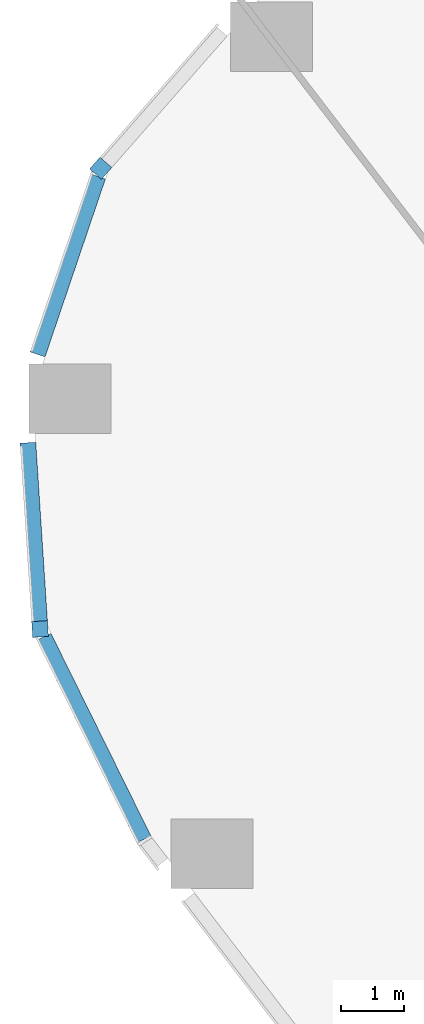
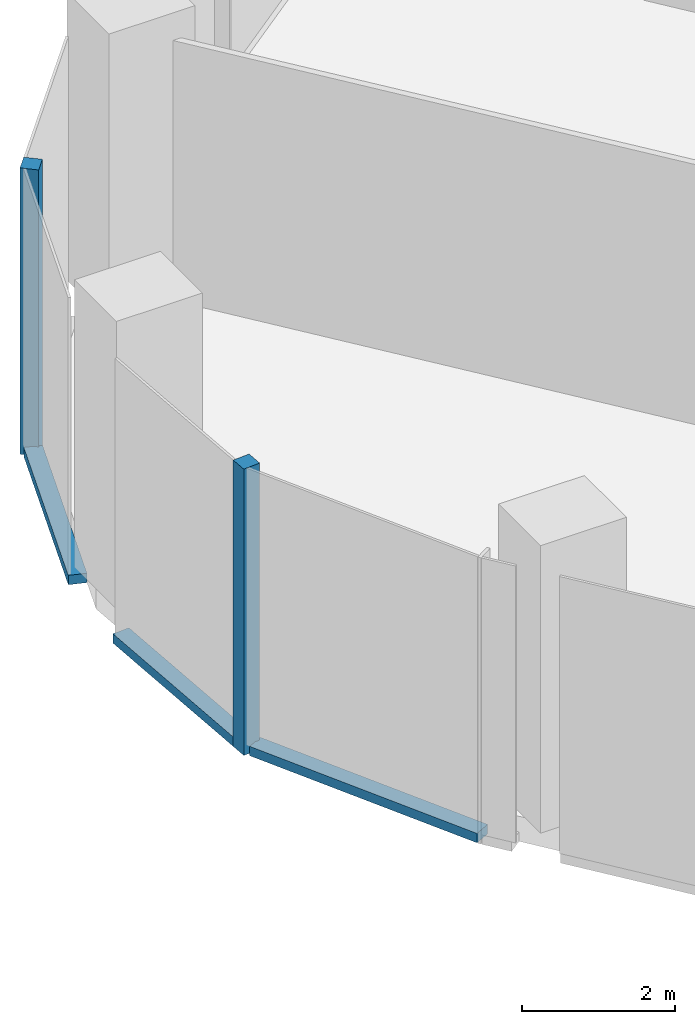
# One storey, part 3 of 30: 5 members, 4 elements without a shape of their own.
"""IFC4 building model written with IfcOpenShell, lengths in metres."""

from ifc_helpers import new_model, si_unit, direction, frame, origin, origin_2d, place, context, subcontext, project, spatial, rectangle, extrude, material, material_profile, profile_set, type_object, element, aggregate, save


model = new_model("IFC4")

# Units and contexts
model_context = context("Model", 3, precision=1e-05, world=origin(), true_north=direction((0.0, 1.0)))
body_context = subcontext(model_context, "Body", "Model", "MODEL_VIEW")
ifc_project = project(units=[si_unit("LENGTHUNIT", "METRE"), si_unit("AREAUNIT", "SQUARE_METRE"), si_unit("VOLUMEUNIT", "CUBIC_METRE"), si_unit("PLANEANGLEUNIT", "RADIAN"), si_unit("MASSUNIT", "GRAM", prefix="KILO")], contexts=[model_context])

# Site, building, storey
site_placement = place(None, origin())
site = spatial("IfcSite", under=ifc_project, at=site_placement, CompositionType="ELEMENT")
building_placement = place(site_placement, origin())
building = spatial("IfcBuilding", under=site, at=building_placement, Name="Orlundy Tower", CompositionType="ELEMENT")
storey_placement = place(building_placement, frame((0.0, 0.0, 20.5)))
storey = spatial("IfcBuildingStorey", under=building, at=storey_placement, Name="L03", CompositionType="ELEMENT", Elevation=20.5)

# Curtain wall, member
ifc_material_1 = material(Name="Aluminium bronze anodised", Category="aluminium")
curtain_wall_type = type_object("IfcCurtainWallType", Name="CW2 wall", PredefinedType="NOTDEFINED", material=ifc_material_1)
curtain_wall_1_placement = place(storey_placement, origin())
curtain_wall_1 = element("IfcCurtainWall", 1, at=curtain_wall_1_placement, inside=storey, type_object=curtain_wall_type, Name="CW2 run 09", PredefinedType="NOTDEFINED")
ifc_material_2 = material(Name="Aluminium bronze anodised", Category="aluminium")
ifc_material_profile_1 = material_profile(ifc_material_2, rectangle(XDim=0.25, YDim=0.25, at=origin_2d()), Name="CW2 corner post 250x250")
ifc_profile_set_1 = profile_set([ifc_material_profile_1], Name="Aluminium bronze anodised")
member_type_1 = type_object("IfcMemberType", Name="CW2 corner post 250x250", PredefinedType="MULLION", material=ifc_profile_set_1)
member_1_placement = place(storey_placement, frame((-55.359130859375, -24.60009765625, -0.39990234375), z_axis=(0.0, 0.0, 1.0), x_axis=(-0.997866755389, -0.065283523877, 0.0)))
member_1 = element("IfcMember", 2, at=member_1_placement, type_object=member_type_1, Name="CW2 mullion 23", PredefinedType="MULLION", context=body_context, shape_type="SweptSolid", body=[
    extrude(rectangle(XDim=0.25, YDim=0.25, at=origin_2d()), origin(), (0.0, 0.0, 1.0), 4.579833984375),
])

curtain_wall_2_placement = place(storey_placement, origin())
curtain_wall_2 = element("IfcCurtainWall", 3, at=curtain_wall_2_placement, inside=storey, type_object=curtain_wall_type, Name="CW2 run 011", PredefinedType="NOTDEFINED")
member_2_placement = place(storey_placement, frame((-54.3974609375, -17.294189453125, -0.39990234375), z_axis=(0.0, 0.0, 1.0), x_axis=(-0.751857647447, 0.65932547196, 0.0)))
member_2 = element("IfcMember", 4, at=member_2_placement, type_object=member_type_1, Name="CW2 mullion 25", PredefinedType="MULLION", context=body_context, shape_type="SweptSolid", body=[
    extrude(rectangle(XDim=0.25, YDim=0.25, at=origin_2d()), origin(), (0.0, 0.0, 1.0), 4.579833984375),
])
aggregate(curtain_wall_2, [member_2])

curtain_wall_3_placement = place(storey_placement, origin())
curtain_wall_3 = element("IfcCurtainWall", 5, at=curtain_wall_3_placement, inside=storey, type_object=curtain_wall_type, Name="CW2 run 08", PredefinedType="NOTDEFINED")
ifc_material_3 = material(Name="Aluminium bronze anodised", Category="aluminium")
ifc_material_profile_2 = material_profile(ifc_material_3, rectangle(XDim=0.25, YDim=0.14990234375, at=origin_2d()), Name="CW2 transom 250x150")
ifc_profile_set_2 = profile_set([ifc_material_profile_2], Name="Aluminium bronze anodised")
member_type_2 = type_object("IfcMemberType", Name="CW2 transom 250x150", PredefinedType="USERDEFINED", material=ifc_profile_set_2)
member_3_placement = place(storey_placement, frame((-53.71484375, -27.934814453125, -0.324951171875), z_axis=(-0.442245930509, 0.896893827021, 0.0), x_axis=(-0.896893827021, -0.442245930509, 0.0)))
member_3 = element("IfcMember", 6, at=member_3_placement, type_object=member_type_2, Name="CW2 transom", ObjectType="TRANSOM", PredefinedType="USERDEFINED", context=body_context, shape_type="SweptSolid", body=[
    extrude(rectangle(XDim=0.25, YDim=0.14990234375, at=origin_2d()), origin(), (0.0, 0.0, 1.0), 3.582763671875),
])
aggregate(curtain_wall_3, [member_3])

# Member
member_4_placement = place(storey_placement, frame((-55.3671875, -24.475341796875, -0.324951171875), z_axis=(-0.065267391535, 0.997867810685, 0.0), x_axis=(-0.997867810685, -0.065267391535, 0.0)))
member_4 = element("IfcMember", 7, at=member_4_placement, type_object=member_type_2, Name="CW2 transom", ObjectType="TRANSOM", PredefinedType="USERDEFINED", context=body_context, shape_type="SweptSolid", body=[
    extrude(rectangle(XDim=0.25, YDim=0.14990234375, at=origin_2d()), origin(), (0.0, 0.0, 1.0), 2.83544921875),
])

aggregate(curtain_wall_1, [member_1, member_4])

# Curtain wall, member
curtain_wall_4_placement = place(storey_placement, origin())
curtain_wall_4 = element("IfcCurtainWall", 8, at=curtain_wall_4_placement, inside=storey, type_object=curtain_wall_type, Name="CW2 run 010", PredefinedType="NOTDEFINED")
member_5_placement = place(storey_placement, frame((-55.39892578125, -20.24609375, -0.324951171875), z_axis=(0.321283233247, 0.94698314876, 0.0), x_axis=(-0.94698314876, 0.321283233247, 0.0)))
member_5 = element("IfcMember", 9, at=member_5_placement, type_object=member_type_2, Name="CW2 transom", ObjectType="TRANSOM", PredefinedType="USERDEFINED", context=body_context, shape_type="SweptSolid", body=[
    extrude(rectangle(XDim=0.25, YDim=0.14990234375, at=origin_2d()), origin(), (0.0, 0.0, 1.0), 2.98193359375),
])
aggregate(curtain_wall_4, [member_5])

save(model, "model.ifc")
